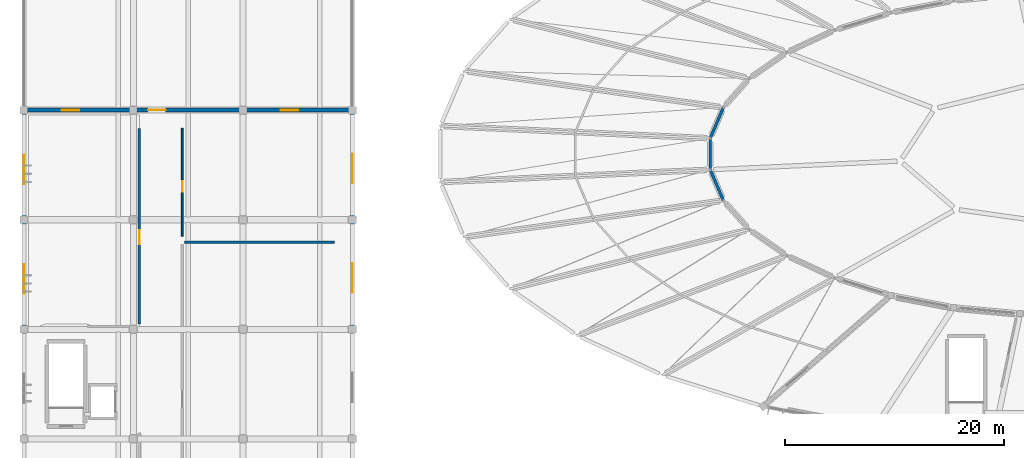
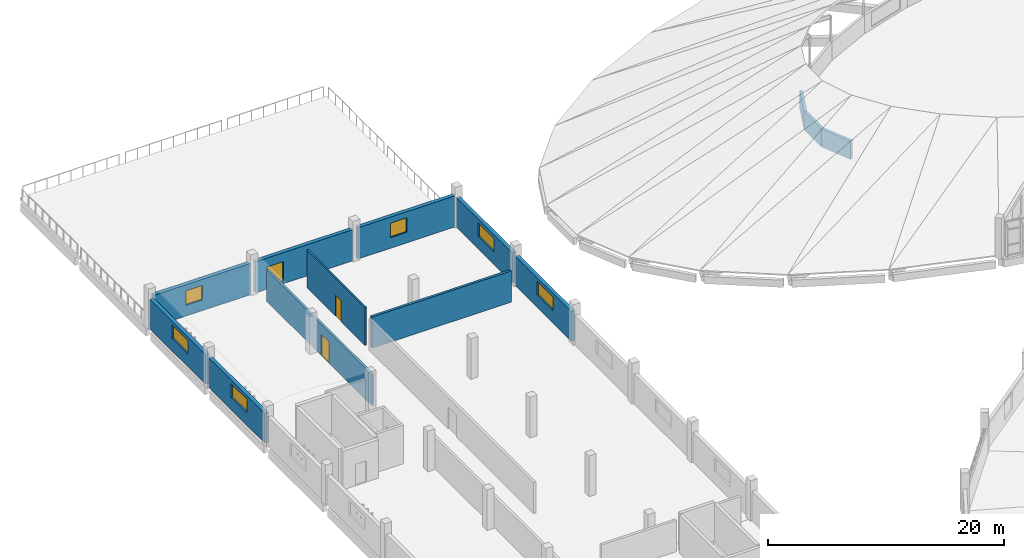
# One storey, part 99 of 142: 13 walls, 6 windows, 3 doors, 9 openings.
"""IFC4 building model written with IfcOpenShell, lengths in metres."""

from ifc_helpers import new_model, si_unit, direction, frame, frame_2d, origin, place, context, subcontext, project, spatial, rectangle, extrude, material, layer, layer_set, type_object, element, fill, save


model = new_model("IFC4")

# Units and contexts
model_context = context("Model", 3, precision=1e-05, world=origin(), true_north=direction((0.0, 1.0)))
body_context = subcontext(model_context, "Body", "Model", "MODEL_VIEW")
ifc_project = project(units=[si_unit("LENGTHUNIT", "METRE"), si_unit("AREAUNIT", "SQUARE_METRE"), si_unit("VOLUMEUNIT", "CUBIC_METRE"), si_unit("PLANEANGLEUNIT", "RADIAN"), si_unit("MASSUNIT", "GRAM", prefix="KILO")], contexts=[model_context])

# Site, building, storey
site_placement = place(None, origin())
site = spatial("IfcSite", under=ifc_project, at=site_placement, CompositionType="ELEMENT")
building_placement = place(site_placement, origin())
building = spatial("IfcBuilding", under=site, at=building_placement, Name="Corvandel Quay Wholesale Market", CompositionType="ELEMENT")
storey_placement = place(building_placement, frame((0.0, 0.0, 10.800048828125)))
storey = spatial("IfcBuildingStorey", under=building, at=storey_placement, Name="L02", CompositionType="ELEMENT", Elevation=10.800048828125)

# Wall, opening, door
ifc_material_1 = material(Name="Gypsum-clad steel stud framing", Category="steel")
ifc_layer_1 = layer(ifc_material_1, 0.2099609375)
ifc_layer_set_1 = layer_set([ifc_layer_1], Name="Gypsum-clad steel stud framing")
wall_type_1 = type_object("IfcWallType", Name="Corridor Rated Partition PT02 210", PredefinedType="PARTITIONING", material=ifc_layer_set_1)
wall_1_placement = place(storey_placement, frame((30.5400390625, 118.330078125, 0.0), z_axis=(0.0, 0.0, 1.0), x_axis=(0.0, -1.0, 0.0)))
wall_1 = element("IfcWall", 1, at=wall_1_placement, inside=storey, type_object=wall_type_1, Name="Interior Wall IW-0835", PredefinedType="PARTITIONING", context=body_context, shape_type="SweptSolid", body=[
    extrude(rectangle(XDim=17.85009765625, YDim=0.2099609375, at=frame_2d((8.925048828125, 0.0))), origin(), (0.0, 0.0, 1.0), 3.22998046875),
])
opening_1_placement = place(wall_1_placement, frame((9.27490234375, 0.0, 0.0)))
opening_1 = element("IfcOpeningElement", 2, at=opening_1_placement, cuts=wall_1, Name="Opening L02-D044", PredefinedType="OPENING", context=body_context, shape_type="SweptSolid", body=[
    extrude(rectangle(XDim=1.300048828125, YDim=2.199951171875, at=frame_2d((0.64990234375, 1.10009765625))), frame((0.0, 0.114990234375, 0.0), z_axis=(0.0, -1.0, 0.0), x_axis=(1.0, 0.0, 0.0)), (0.0, 0.0, 1.0), 0.22998046875),
])
ifc_material_2 = material(Name="Stained oak solid-core timber", Category="wood")
door_type_1 = type_object("IfcDoorType", Name="Telemetry Control Door ID23 1300x2200R", OperationType="SINGLE_SWING_RIGHT", PredefinedType="DOOR", material=ifc_material_2)
door_1_placement = place(opening_1_placement, origin())
door_1 = element("IfcDoor", 3, at=door_1_placement, inside=storey, type_object=door_type_1, Name="Cold Chain Control Telemetry Suite Door", OperationType="SINGLE_SWING_RIGHT", OverallHeight=2.199951171875, OverallWidth=1.300048828125, PredefinedType="DOOR", context=body_context, shape_type="SweptSolid", body=[
    extrude(rectangle(XDim=1.300048828125, YDim=2.199951171875, at=frame_2d((0.64990234375, 1.10009765625))), frame((0.0, 0.02490234375, 0.0), z_axis=(0.0, -1.0, 0.0), x_axis=(1.0, 0.0, 0.0)), (0.0, 0.0, 1.0), 0.050048828125),
])
fill(opening_1, door_1)

# Walls
ifc_material_3 = material(Name="Lightweight concrete blockwork", Category="masonry")
ifc_layer_2 = layer(ifc_material_3, 0.239990234375)
ifc_layer_set_2 = layer_set([ifc_layer_2], Name="Lightweight concrete blockwork")
wall_type_2 = type_object("IfcWallType", Name="Fire Compartment Partition PT01 240", PredefinedType="PARTITIONING", material=ifc_layer_set_2)
wall_2_placement = place(storey_placement, frame((34.679931640625, 107.93994140625, 0.0), z_axis=(0.0, 0.0, 1.0), x_axis=(1.0, 0.0, 0.0)))
element("IfcWall", 4, at=wall_2_placement, inside=storey, type_object=wall_type_2, Name="Interior Wall IW-0847", PredefinedType="PARTITIONING", context=body_context, shape_type="SweptSolid", body=[
    extrude(rectangle(XDim=13.650146484375, YDim=0.239990234375, at=frame_2d((6.8251953125, 0.0))), origin(), (0.0, 0.0, 1.0), 3.22998046875),
])
ifc_material_4 = material(Name="Terracotta precast concrete C45/55", Category="masonry")
ifc_layer_3 = layer(ifc_material_4, 0.260009765625)
ifc_layer_set_3 = layer_set([ifc_layer_3], Name="Terracotta precast concrete C45/55")
wall_type_3 = type_object("IfcWallType", Name="Pavilion Pilaster Infill Wall EW08 260", PredefinedType="SOLIDWALL", material=ifc_layer_set_3)
wall_3_placement = place(storey_placement, frame((83.844970703125, 120.2470703125, 0.0), z_axis=(0.0, 0.0, 1.0), x_axis=(-0.393784496934, -0.919202790452, 0.0)))
element("IfcWall", 5, at=wall_3_placement, inside=storey, type_object=wall_type_3, Name="Exterior Wall EW-0120", PredefinedType="SOLIDWALL", context=body_context, shape_type="SweptSolid", body=[
    extrude(rectangle(XDim=3.060302734375, YDim=0.260009765625, at=frame_2d((1.5302734375, 0.0))), origin(), (0.0, 0.0, 1.0), 1.89990234375),
])
wall_4_placement = place(storey_placement, frame((82.639892578125, 117.43408203125, 0.0), z_axis=(0.0, 0.0, 1.0), x_axis=(0.0, -1.0, 0.0)))
element("IfcWall", 6, at=wall_4_placement, inside=storey, type_object=wall_type_3, Name="Exterior Wall EW-0122", PredefinedType="SOLIDWALL", context=body_context, shape_type="SweptSolid", body=[
    extrude(rectangle(XDim=2.8681640625, YDim=0.260009765625, at=frame_2d((1.43408203125, 0.0))), origin(), (0.0, 0.0, 1.0), 1.89990234375),
])
wall_5_placement = place(storey_placement, frame((82.639892578125, 114.56591796875, 0.0), z_axis=(0.0, 0.0, 1.0), x_axis=(0.393784496934, -0.919202790452, 0.0)))
element("IfcWall", 7, at=wall_5_placement, inside=storey, type_object=wall_type_3, Name="Exterior Wall EW-0125", PredefinedType="SOLIDWALL", context=body_context, shape_type="SweptSolid", body=[
    extrude(rectangle(XDim=3.060302734375, YDim=0.260009765625, at=frame_2d((1.5302734375, 0.0))), origin(), (0.0, 0.0, 1.0), 1.89990234375),
])

# Wall, opening, window
ifc_material_5 = material(Name="Insulated precast concrete C45/55", Category="concrete")
ifc_layer_4 = layer(ifc_material_5, 0.360107421875)
ifc_layer_set_4 = layer_set([ifc_layer_4], Name="Insulated precast concrete C45/55")
wall_type_4 = type_object("IfcWallType", Name="Ripening Gas-Tight Envelope Wall EW04 360", PredefinedType="SOLIDWALL", material=ifc_layer_set_4)
wall_6_placement = place(storey_placement, frame((20.0, 100.239990234375, 0.0), z_axis=(0.0, 0.0, 1.0), x_axis=(0.0, 1.0, 0.0)))
wall_6 = element("IfcWall", 8, at=wall_6_placement, inside=storey, type_object=wall_type_4, Name="Exterior Wall EW-0284", PredefinedType="SOLIDWALL", context=body_context, shape_type="SweptSolid", body=[
    extrude(rectangle(XDim=9.52001953125, YDim=0.360107421875, at=frame_2d((4.760009765625, 0.0))), origin(), (0.0, 0.0, 1.0), 3.079833984375),
])
opening_2_placement = place(wall_6_placement, frame((3.0, 0.0, 1.300048828125)))
opening_2 = element("IfcOpeningElement", 9, at=opening_2_placement, cuts=wall_6, Name="Opening L02-W055", PredefinedType="OPENING", context=body_context, shape_type="SweptSolid", body=[
    extrude(rectangle(XDim=2.699951171875, YDim=1.39990234375, at=frame_2d((1.35009765625, 0.699951171875))), frame((0.0, 0.18994140625, 0.0), z_axis=(0.0, -1.0, 0.0), x_axis=(1.0, 0.0, 0.0)), (0.0, 0.0, 1.0), 0.380126953125),
])
ifc_material_6 = material(Name="Thermally broken bronze anodised aluminium and solar-control low-E double glazing", Category="aluminium")
window_type_1 = type_object("IfcWindowType", Name="Plant Louvred Clerestory Window WN16 2700x1400", PartitioningType="SINGLE_PANEL", PredefinedType="WINDOW", material=ifc_material_6)
window_1_placement = place(opening_2_placement, origin())
window_1 = element("IfcWindow", 10, at=window_1_placement, inside=storey, type_object=window_type_1, Name="Window L02-W055", OverallHeight=1.39990234375, OverallWidth=2.699951171875, PartitioningType="SINGLE_PANEL", PredefinedType="WINDOW", context=body_context, shape_type="SweptSolid", body=[
    extrude(rectangle(XDim=2.699951171875, YDim=1.39990234375, at=frame_2d((1.35009765625, 0.699951171875))), frame((0.0, 0.030029296875, 0.0), z_axis=(0.0, -1.0, 0.0), x_axis=(1.0, 0.0, 0.0)), (0.0, 0.0, 1.0), 0.06005859375),
])
fill(opening_2, window_1)

wall_7_placement = place(storey_placement, frame((50.0, 100.239990234375, 0.0), z_axis=(0.0, 0.0, 1.0), x_axis=(0.0, 1.0, 0.0)))
wall_7 = element("IfcWall", 11, at=wall_7_placement, inside=storey, type_object=wall_type_4, Name="Exterior Wall EW-0288", PredefinedType="SOLIDWALL", context=body_context, shape_type="SweptSolid", body=[
    extrude(rectangle(XDim=9.52001953125, YDim=0.360107421875, at=frame_2d((4.760009765625, 0.0))), origin(), (0.0, 0.0, 1.0), 3.079833984375),
])
opening_3_placement = place(wall_7_placement, frame((3.10009765625, 0.0, 1.300048828125)))
opening_3 = element("IfcOpeningElement", 12, at=opening_3_placement, cuts=wall_7, Name="Opening L02-W056", PredefinedType="OPENING", context=body_context, shape_type="SweptSolid", body=[
    extrude(rectangle(XDim=2.699951171875, YDim=1.39990234375, at=frame_2d((1.35009765625, 0.699951171875))), frame((0.0, 0.18994140625, 0.0), z_axis=(0.0, -1.0, 0.0), x_axis=(1.0, 0.0, 0.0)), (0.0, 0.0, 1.0), 0.380126953125),
])
window_2_placement = place(opening_3_placement, origin())
window_2 = element("IfcWindow", 13, at=window_2_placement, inside=storey, type_object=window_type_1, Name="Window L02-W056", OverallHeight=1.39990234375, OverallWidth=2.699951171875, PartitioningType="SINGLE_PANEL", PredefinedType="WINDOW", context=body_context, shape_type="SweptSolid", body=[
    extrude(rectangle(XDim=2.699951171875, YDim=1.39990234375, at=frame_2d((1.35009765625, 0.699951171875))), frame((0.0, 0.030029296875, 0.0), z_axis=(0.0, -1.0, 0.0), x_axis=(1.0, 0.0, 0.0)), (0.0, 0.0, 1.0), 0.06005859375),
])
fill(opening_3, window_2)

wall_8_placement = place(storey_placement, frame((20.0, 110.239990234375, 0.0), z_axis=(0.0, 0.0, 1.0), x_axis=(0.0, 1.0, 0.0)))
wall_8 = element("IfcWall", 14, at=wall_8_placement, inside=storey, type_object=wall_type_4, Name="Exterior Wall EW-0292", PredefinedType="SOLIDWALL", context=body_context, shape_type="SweptSolid", body=[
    extrude(rectangle(XDim=9.52001953125, YDim=0.360107421875, at=frame_2d((4.760009765625, 0.0))), origin(), (0.0, 0.0, 1.0), 3.079833984375),
])
opening_4_placement = place(wall_8_placement, frame((3.0, 0.0, 1.300048828125)))
opening_4 = element("IfcOpeningElement", 15, at=opening_4_placement, cuts=wall_8, Name="Opening L02-W057", PredefinedType="OPENING", context=body_context, shape_type="SweptSolid", body=[
    extrude(rectangle(XDim=2.699951171875, YDim=1.39990234375, at=frame_2d((1.35009765625, 0.699951171875))), frame((0.0, 0.18994140625, 0.0), z_axis=(0.0, -1.0, 0.0), x_axis=(1.0, 0.0, 0.0)), (0.0, 0.0, 1.0), 0.380126953125),
])
window_3_placement = place(opening_4_placement, origin())
window_3 = element("IfcWindow", 16, at=window_3_placement, inside=storey, type_object=window_type_1, Name="Window L02-W057", OverallHeight=1.39990234375, OverallWidth=2.699951171875, PartitioningType="SINGLE_PANEL", PredefinedType="WINDOW", context=body_context, shape_type="SweptSolid", body=[
    extrude(rectangle(XDim=2.699951171875, YDim=1.39990234375, at=frame_2d((1.35009765625, 0.699951171875))), frame((0.0, 0.030029296875, 0.0), z_axis=(0.0, -1.0, 0.0), x_axis=(1.0, 0.0, 0.0)), (0.0, 0.0, 1.0), 0.06005859375),
])
fill(opening_4, window_3)

wall_9_placement = place(storey_placement, frame((50.0, 110.239990234375, 0.0), z_axis=(0.0, 0.0, 1.0), x_axis=(0.0, 1.0, 0.0)))
wall_9 = element("IfcWall", 17, at=wall_9_placement, inside=storey, type_object=wall_type_4, Name="Exterior Wall EW-0296", PredefinedType="SOLIDWALL", context=body_context, shape_type="SweptSolid", body=[
    extrude(rectangle(XDim=9.52001953125, YDim=0.360107421875, at=frame_2d((4.760009765625, 0.0))), origin(), (0.0, 0.0, 1.0), 3.079833984375),
])
opening_5_placement = place(wall_9_placement, frame((3.10009765625, 0.0, 1.300048828125)))
opening_5 = element("IfcOpeningElement", 18, at=opening_5_placement, cuts=wall_9, Name="Opening L02-W058", PredefinedType="OPENING", context=body_context, shape_type="SweptSolid", body=[
    extrude(rectangle(XDim=2.699951171875, YDim=1.39990234375, at=frame_2d((1.35009765625, 0.699951171875))), frame((0.0, 0.18994140625, 0.0), z_axis=(0.0, -1.0, 0.0), x_axis=(1.0, 0.0, 0.0)), (0.0, 0.0, 1.0), 0.380126953125),
])
window_4_placement = place(opening_5_placement, origin())
window_4 = element("IfcWindow", 19, at=window_4_placement, inside=storey, type_object=window_type_1, Name="Window L02-W058", OverallHeight=1.39990234375, OverallWidth=2.699951171875, PartitioningType="SINGLE_PANEL", PredefinedType="WINDOW", context=body_context, shape_type="SweptSolid", body=[
    extrude(rectangle(XDim=2.699951171875, YDim=1.39990234375, at=frame_2d((1.35009765625, 0.699951171875))), frame((0.0, 0.030029296875, 0.0), z_axis=(0.0, -1.0, 0.0), x_axis=(1.0, 0.0, 0.0)), (0.0, 0.0, 1.0), 0.06005859375),
])
fill(opening_5, window_4)

wall_10_placement = place(storey_placement, frame((20.239990234375, 120.0, 0.0), z_axis=(0.0, 0.0, 1.0), x_axis=(1.0, 0.0, 0.0)))
wall_10 = element("IfcWall", 20, at=wall_10_placement, inside=storey, type_object=wall_type_4, Name="Exterior Wall EW-0312", PredefinedType="SOLIDWALL", context=body_context, shape_type="SweptSolid", body=[
    extrude(rectangle(XDim=9.52001953125, YDim=0.360107421875, at=frame_2d((4.760009765625, 0.0))), origin(), (0.0, 0.0, 1.0), 3.22998046875),
])
opening_6_placement = place(wall_10_placement, frame((3.199951171875, 0.0, 1.10009765625)))
opening_6 = element("IfcOpeningElement", 21, at=opening_6_placement, cuts=wall_10, Name="Opening L02-W060", PredefinedType="OPENING", context=body_context, shape_type="SweptSolid", body=[
    extrude(rectangle(XDim=1.60009765625, YDim=1.5, at=frame_2d((0.800048828125, 0.75))), frame((0.0, 0.18994140625, 0.0), z_axis=(0.0, -1.0, 0.0), x_axis=(1.0, 0.0, 0.0)), (0.0, 0.0, 1.0), 0.380126953125),
])
window_type_2 = type_object("IfcWindowType", Name="Cold Chain Lab Window WN14 1600x1500", PartitioningType="SINGLE_PANEL", PredefinedType="WINDOW", material=ifc_material_6)
window_5_placement = place(opening_6_placement, origin())
window_5 = element("IfcWindow", 22, at=window_5_placement, inside=storey, type_object=window_type_2, Name="Window L02-W060", OverallHeight=1.5, OverallWidth=1.60009765625, PartitioningType="SINGLE_PANEL", PredefinedType="WINDOW", context=body_context, shape_type="SweptSolid", body=[
    extrude(rectangle(XDim=1.60009765625, YDim=1.5, at=frame_2d((0.800048828125, 0.75))), frame((0.0, 0.030029296875, 0.0), z_axis=(0.0, -1.0, 0.0), x_axis=(1.0, 0.0, 0.0)), (0.0, 0.0, 1.0), 0.06005859375),
])
fill(opening_6, window_5)

# Wall, opening, door
wall_11_placement = place(storey_placement, frame((30.239990234375, 120.0, 0.0), z_axis=(0.0, 0.0, 1.0), x_axis=(1.0, 0.0, 0.0)))
wall_11 = element("IfcWall", 23, at=wall_11_placement, inside=storey, type_object=wall_type_4, Name="Exterior Wall EW-0320", PredefinedType="SOLIDWALL", context=body_context, shape_type="SweptSolid", body=[
    extrude(rectangle(XDim=9.52001953125, YDim=0.360107421875, at=frame_2d((4.760009765625, 0.0))), origin(), (0.0, 0.0, 1.0), 3.22998046875),
])
opening_7_placement = place(wall_11_placement, frame((1.10009765625, 0.0, 0.0)))
opening_7 = element("IfcOpeningElement", 24, at=opening_7_placement, cuts=wall_11, Name="Opening L02-D004", PredefinedType="OPENING", context=body_context, shape_type="SweptSolid", body=[
    extrude(rectangle(XDim=1.60009765625, YDim=2.300048828125, at=frame_2d((0.800048828125, 1.14990234375))), frame((0.0, 0.18994140625, 0.0), z_axis=(0.0, -1.0, 0.0), x_axis=(1.0, 0.0, 0.0)), (0.0, 0.0, 1.0), 0.380126953125),
])
ifc_material_7 = material(Name="Bronze anodised aluminium and low-E glass", Category="aluminium")
door_type_2 = type_object("IfcDoorType", Name="Terrace Garden Access Door ED04 1600x2300", OperationType="DOUBLE_DOOR_SINGLE_SWING", PredefinedType="DOOR", material=ifc_material_7)
door_2_placement = place(opening_7_placement, origin())
door_2 = element("IfcDoor", 25, at=door_2_placement, inside=storey, type_object=door_type_2, Name="Green Terrace Door V4-30", OperationType="DOUBLE_DOOR_SINGLE_SWING", OverallHeight=2.300048828125, OverallWidth=1.60009765625, PredefinedType="DOOR", context=body_context, shape_type="SweptSolid", body=[
    extrude(rectangle(XDim=1.60009765625, YDim=2.300048828125, at=frame_2d((0.800048828125, 1.14990234375))), frame((0.0, 0.02490234375, 0.0), z_axis=(0.0, -1.0, 0.0), x_axis=(1.0, 0.0, 0.0)), (0.0, 0.0, 1.0), 0.050048828125),
])
fill(opening_7, door_2)

# Wall, opening, window
wall_12_placement = place(storey_placement, frame((40.239990234375, 120.0, 0.0), z_axis=(0.0, 0.0, 1.0), x_axis=(1.0, 0.0, 0.0)))
wall_12 = element("IfcWall", 26, at=wall_12_placement, inside=storey, type_object=wall_type_4, Name="Exterior Wall EW-0328", PredefinedType="SOLIDWALL", context=body_context, shape_type="SweptSolid", body=[
    extrude(rectangle(XDim=9.52001953125, YDim=0.360107421875, at=frame_2d((4.760009765625, 0.0))), origin(), (0.0, 0.0, 1.0), 3.22998046875),
])
opening_8_placement = place(wall_12_placement, frame((3.199951171875, 0.0, 1.10009765625)))
opening_8 = element("IfcOpeningElement", 27, at=opening_8_placement, cuts=wall_12, Name="Opening L02-W063", PredefinedType="OPENING", context=body_context, shape_type="SweptSolid", body=[
    extrude(rectangle(XDim=1.60009765625, YDim=1.5, at=frame_2d((0.800048828125, 0.75))), frame((0.0, 0.18994140625, 0.0), z_axis=(0.0, -1.0, 0.0), x_axis=(1.0, 0.0, 0.0)), (0.0, 0.0, 1.0), 0.380126953125),
])
window_6_placement = place(opening_8_placement, origin())
window_6 = element("IfcWindow", 28, at=window_6_placement, inside=storey, type_object=window_type_2, Name="Window L02-W063", OverallHeight=1.5, OverallWidth=1.60009765625, PartitioningType="SINGLE_PANEL", PredefinedType="WINDOW", context=body_context, shape_type="SweptSolid", body=[
    extrude(rectangle(XDim=1.60009765625, YDim=1.5, at=frame_2d((0.800048828125, 0.75))), frame((0.0, 0.030029296875, 0.0), z_axis=(0.0, -1.0, 0.0), x_axis=(1.0, 0.0, 0.0)), (0.0, 0.0, 1.0), 0.06005859375),
])
fill(opening_8, window_6)

# Wall, opening, door
ifc_material_8 = material(Name="Moisture-resistant tile-backer partition")
ifc_layer_5 = layer(ifc_material_8, 0.159912109375)
ifc_layer_set_5 = layer_set([ifc_layer_5], Name="Moisture-resistant tile-backer partition")
wall_type_5 = type_object("IfcWallType", Name="Sanitary Tile Partition PT06 160", PredefinedType="PARTITIONING", material=ifc_layer_set_5)
wall_13_placement = place(storey_placement, frame((34.4599609375, 108.47998046875, 0.0), z_axis=(0.0, 0.0, 1.0), x_axis=(0.0, 1.0, 0.0)))
wall_13 = element("IfcWall", 29, at=wall_13_placement, inside=storey, type_object=wall_type_5, Name="Interior Wall IW-0850", PredefinedType="PARTITIONING", context=body_context, shape_type="SweptSolid", body=[
    extrude(rectangle(XDim=9.85009765625, YDim=0.159912109375, at=frame_2d((4.925048828125, 0.0))), origin(), (0.0, 0.0, 1.0), 3.919921875),
])
opening_9_placement = place(wall_13_placement, frame((4.074951171875, 0.0, 0.0)))
opening_9 = element("IfcOpeningElement", 30, at=opening_9_placement, cuts=wall_13, Name="Opening L02-D048", PredefinedType="OPENING", context=body_context, shape_type="SweptSolid", body=[
    extrude(rectangle(XDim=0.949951171875, YDim=2.14990234375, at=frame_2d((0.47509765625, 1.074951171875))), frame((0.0, 0.08984375, 0.0), z_axis=(0.0, -1.0, 0.0), x_axis=(1.0, 0.0, 0.0)), (0.0, 0.0, 1.0), 0.179931640625),
])
ifc_material_9 = material(Name="Moisture-resistant HPL solid core")
door_type_3 = type_object("IfcDoorType", Name="Accessible Restroom Door ID13 950x2150L", OperationType="SINGLE_SWING_LEFT", PredefinedType="DOOR", material=ifc_material_9)
door_3_placement = place(opening_9_placement, origin())
door_3 = element("IfcDoor", 31, at=door_3_placement, inside=storey, type_object=door_type_3, Name="Public Accessible Toilet and Terrace Lobby V4 Door", OperationType="SINGLE_SWING_LEFT", OverallHeight=2.14990234375, OverallWidth=0.949951171875, PredefinedType="DOOR", context=body_context, shape_type="SweptSolid", body=[
    extrude(rectangle(XDim=0.949951171875, YDim=2.14990234375, at=frame_2d((0.47509765625, 1.074951171875))), frame((0.0, 0.02490234375, 0.0), z_axis=(0.0, -1.0, 0.0), x_axis=(1.0, 0.0, 0.0)), (0.0, 0.0, 1.0), 0.050048828125),
])
fill(opening_9, door_3)

save(model, "model.ifc")
